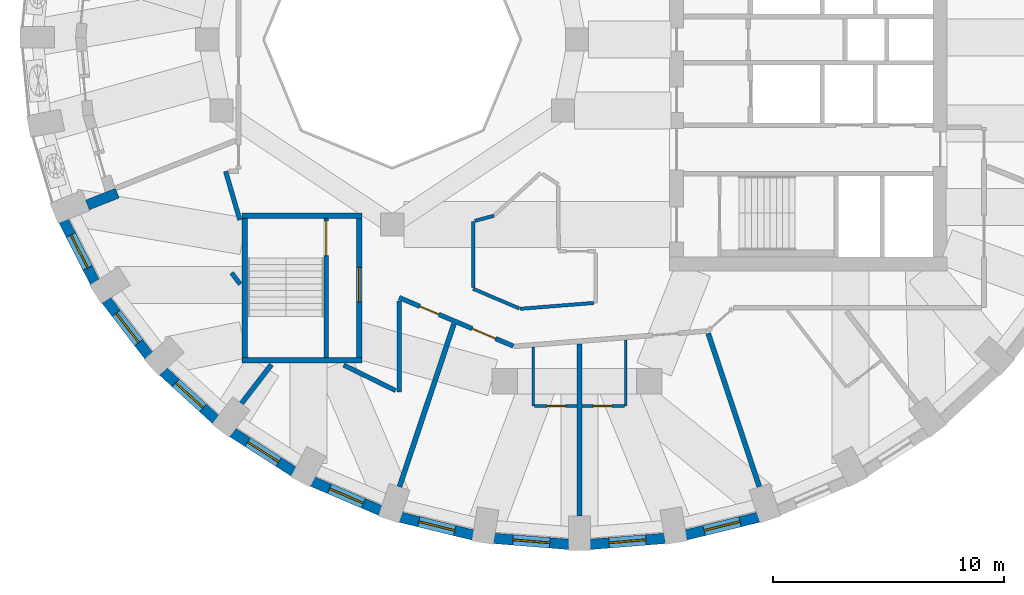
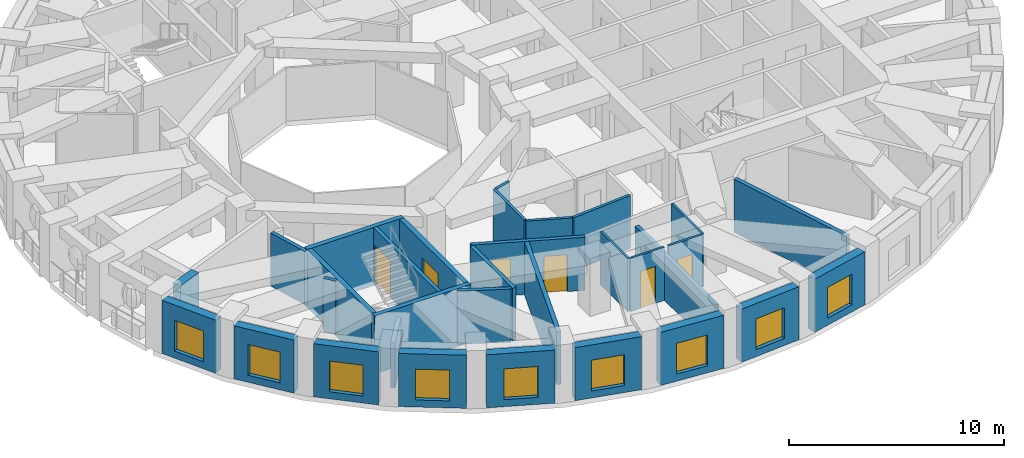
# One storey, part 3 of 12: 32 walls, 9 windows, 6 doors, 15 openings.
"""IFC4 building model written with IfcOpenShell, lengths in metres."""

from ifc_helpers import new_model, si_unit, direction, frame, frame_2d, origin, place, context, subcontext, project, spatial, rectangle, extrude, material, layer, layer_set, type_object, element, fill, save


model = new_model("IFC4")

# Units and contexts
model_context = context("Model", 3, precision=1e-05, world=origin(), true_north=direction((0.0, 1.0)))
body_context = subcontext(model_context, "Body", "Model", "MODEL_VIEW")
ifc_project = project(units=[si_unit("LENGTHUNIT", "METRE"), si_unit("AREAUNIT", "SQUARE_METRE"), si_unit("VOLUMEUNIT", "CUBIC_METRE"), si_unit("PLANEANGLEUNIT", "RADIAN"), si_unit("MASSUNIT", "GRAM", prefix="KILO")], contexts=[model_context])

# Site, building, storey
site_placement = place(None, origin())
site = spatial("IfcSite", under=ifc_project, at=site_placement, CompositionType="ELEMENT")
building_placement = place(site_placement, origin())
building = spatial("IfcBuilding", under=site, at=building_placement, Name="Taillehof Tower", CompositionType="ELEMENT")
storey_placement = place(building_placement, frame((0.0, 0.0, 148.39990234375)))
storey = spatial("IfcBuildingStorey", under=building, at=storey_placement, Name="L41", CompositionType="ELEMENT", Elevation=148.39990234375)

# Wall, opening, window
ifc_material_1 = material(Name="Brick masonry", Category="masonry")
ifc_layer_1 = layer(ifc_material_1, 0.449951171875)
ifc_layer_set_1 = layer_set([ifc_layer_1], Name="Brick infill wall 450")
wall_type_1 = type_object("IfcWallType", Name="Brick infill wall 450", PredefinedType="SOLIDWALL", material=ifc_layer_set_1)
wall_1_placement = place(storey_placement, frame((-22.21533203125, -7.8369140625, 0.0), z_axis=(0.0, 0.0, 1.0), x_axis=(0.454133999889, -0.890933392653, 0.0)))
wall_1 = element("IfcWall", 1, at=wall_1_placement, inside=storey, type_object=wall_type_1, Name="Brick wall L41 bay 21", PredefinedType="SOLIDWALL", context=body_context, shape_type="SweptSolid", body=[
    extrude(rectangle(XDim=2.98583984375, YDim=0.449951171875, at=frame_2d((1.492919921875, 0.0))), origin(), (0.0, 0.0, 1.0), 3.02001953125),
])
opening_1_placement = place(wall_1_placement, frame((0.69287109375, 0.0, 0.39990234375)))
opening_1 = element("IfcOpeningElement", 2, at=opening_1_placement, cuts=wall_1, Name="Opening W3", PredefinedType="OPENING", context=body_context, shape_type="SweptSolid", body=[
    extrude(rectangle(XDim=1.60009765625, YDim=1.75, at=frame_2d((0.800048828125, 0.875))), frame((0.0, 0.23486328125, 0.0), z_axis=(0.0, -1.0, 0.0), x_axis=(1.0, 0.0, 0.0)), (0.0, 0.0, 1.0), 0.469970703125),
])
ifc_material_2 = material(Name="Aluminium window frame with clear double glazing", Category="aluminium")
window_type = type_object("IfcWindowType", Name="Deep-set window 1600x1750", PartitioningType="SINGLE_PANEL", PredefinedType="WINDOW", material=ifc_material_2)
window_1_placement = place(opening_1_placement, origin())
window_1 = element("IfcWindow", 3, at=window_1_placement, inside=storey, type_object=window_type, Name="W3", OverallHeight=1.75, OverallWidth=1.60009765625, PartitioningType="SINGLE_PANEL", PredefinedType="WINDOW", context=body_context, shape_type="SweptSolid", body=[
    extrude(rectangle(XDim=1.60009765625, YDim=1.75, at=frame_2d((0.800048828125, 0.875))), frame((0.0, 0.034912109375, 0.0), z_axis=(0.0, -1.0, 0.0), x_axis=(1.0, 0.0, 0.0)), (0.0, 0.0, 1.0), 0.06005859375),
])
fill(opening_1, window_1)

wall_2_placement = place(storey_placement, frame((-20.3740234375, -11.26708984375, 0.0), z_axis=(0.0, 0.0, 1.0), x_axis=(0.607817056371, -0.794077090706, 0.0)))
wall_2 = element("IfcWall", 4, at=wall_2_placement, inside=storey, type_object=wall_type_1, Name="Brick wall L41 bay 22", PredefinedType="SOLIDWALL", context=body_context, shape_type="SweptSolid", body=[
    extrude(rectangle(XDim=3.037109375, YDim=0.449951171875, at=frame_2d((1.5185546875, 0.0))), origin(), (0.0, 0.0, 1.0), 3.02001953125),
])
opening_2_placement = place(wall_2_placement, frame((0.718505859375, 0.0, 0.39990234375)))
opening_2 = element("IfcOpeningElement", 5, at=opening_2_placement, cuts=wall_2, Name="Opening W3", PredefinedType="OPENING", context=body_context, shape_type="SweptSolid", body=[
    extrude(rectangle(XDim=1.60009765625, YDim=1.75, at=frame_2d((0.800048828125, 0.875))), frame((0.0, 0.23486328125, 0.0), z_axis=(0.0, -1.0, 0.0), x_axis=(1.0, 0.0, 0.0)), (0.0, 0.0, 1.0), 0.469970703125),
])
window_2_placement = place(opening_2_placement, origin())
window_2 = element("IfcWindow", 6, at=window_2_placement, inside=storey, type_object=window_type, Name="W3", OverallHeight=1.75, OverallWidth=1.60009765625, PartitioningType="SINGLE_PANEL", PredefinedType="WINDOW", context=body_context, shape_type="SweptSolid", body=[
    extrude(rectangle(XDim=1.60009765625, YDim=1.75, at=frame_2d((0.800048828125, 0.875))), frame((0.0, 0.034912109375, 0.0), z_axis=(0.0, -1.0, 0.0), x_axis=(1.0, 0.0, 0.0)), (0.0, 0.0, 1.0), 0.06005859375),
])
fill(opening_2, window_2)

wall_3_placement = place(storey_placement, frame((-17.913330078125, -14.349853515625, 0.0), z_axis=(0.0, 0.0, 1.0), x_axis=(0.737808755941, -0.675009807082, 0.0)))
wall_3 = element("IfcWall", 7, at=wall_3_placement, inside=storey, type_object=wall_type_1, Name="Brick wall L41 bay 23", PredefinedType="SOLIDWALL", context=body_context, shape_type="SweptSolid", body=[
    extrude(rectangle(XDim=3.094482421875, YDim=0.449951171875, at=frame_2d((1.54736328125, 0.0))), origin(), (0.0, 0.0, 1.0), 3.02001953125),
])
opening_3_placement = place(wall_3_placement, frame((0.747314453125, 0.0, 0.39990234375)))
opening_3 = element("IfcOpeningElement", 8, at=opening_3_placement, cuts=wall_3, Name="Opening W3", PredefinedType="OPENING", context=body_context, shape_type="SweptSolid", body=[
    extrude(rectangle(XDim=1.60009765625, YDim=1.75, at=frame_2d((0.800048828125, 0.875))), frame((0.0, 0.23486328125, 0.0), z_axis=(0.0, -1.0, 0.0), x_axis=(1.0, 0.0, 0.0)), (0.0, 0.0, 1.0), 0.469970703125),
])
window_3_placement = place(opening_3_placement, origin())
window_3 = element("IfcWindow", 9, at=window_3_placement, inside=storey, type_object=window_type, Name="W3", OverallHeight=1.75, OverallWidth=1.60009765625, PartitioningType="SINGLE_PANEL", PredefinedType="WINDOW", context=body_context, shape_type="SweptSolid", body=[
    extrude(rectangle(XDim=1.60009765625, YDim=1.75, at=frame_2d((0.800048828125, 0.875))), frame((0.0, 0.034912109375, 0.0), z_axis=(0.0, -1.0, 0.0), x_axis=(1.0, 0.0, 0.0)), (0.0, 0.0, 1.0), 0.06005859375),
])
fill(opening_3, window_3)

wall_4_placement = place(storey_placement, frame((-14.908447265625, -16.993408203125, 0.0), z_axis=(0.0, 0.0, 1.0), x_axis=(0.842065914439, -0.539374633943, 0.0)))
wall_4 = element("IfcWall", 10, at=wall_4_placement, inside=storey, type_object=wall_type_1, Name="Brick wall L41 bay 24", PredefinedType="SOLIDWALL", context=body_context, shape_type="SweptSolid", body=[
    extrude(rectangle(XDim=3.1513671875, YDim=0.449951171875, at=frame_2d((1.57568359375, 0.0))), origin(), (0.0, 0.0, 1.0), 3.02001953125),
])
opening_4_placement = place(wall_4_placement, frame((0.775634765625, 0.0, 0.39990234375)))
opening_4 = element("IfcOpeningElement", 11, at=opening_4_placement, cuts=wall_4, Name="Opening W3", PredefinedType="OPENING", context=body_context, shape_type="SweptSolid", body=[
    extrude(rectangle(XDim=1.60009765625, YDim=1.75, at=frame_2d((0.800048828125, 0.875))), frame((0.0, 0.23486328125, 0.0), z_axis=(0.0, -1.0, 0.0), x_axis=(1.0, 0.0, 0.0)), (0.0, 0.0, 1.0), 0.469970703125),
])
window_4_placement = place(opening_4_placement, origin())
window_4 = element("IfcWindow", 12, at=window_4_placement, inside=storey, type_object=window_type, Name="W3", OverallHeight=1.75, OverallWidth=1.60009765625, PartitioningType="SINGLE_PANEL", PredefinedType="WINDOW", context=body_context, shape_type="SweptSolid", body=[
    extrude(rectangle(XDim=1.60009765625, YDim=1.75, at=frame_2d((0.800048828125, 0.875))), frame((0.0, 0.034912109375, 0.0), z_axis=(0.0, -1.0, 0.0), x_axis=(1.0, 0.0, 0.0)), (0.0, 0.0, 1.0), 0.06005859375),
])
fill(opening_4, window_4)

wall_5_placement = place(storey_placement, frame((-11.4501953125, -19.11865234375, 0.0), z_axis=(0.0, 0.0, 1.0), x_axis=(0.919798725687, -0.392390499663, 0.0)))
wall_5 = element("IfcWall", 13, at=wall_5_placement, inside=storey, type_object=wall_type_1, Name="Brick wall L41 bay 25", PredefinedType="SOLIDWALL", context=body_context, shape_type="SweptSolid", body=[
    extrude(rectangle(XDim=3.200439453125, YDim=0.449951171875, at=frame_2d((1.60009765625, 0.0))), origin(), (0.0, 0.0, 1.0), 3.02001953125),
])
opening_5_placement = place(wall_5_placement, frame((0.80029296875, 0.0, 0.39990234375)))
opening_5 = element("IfcOpeningElement", 14, at=opening_5_placement, cuts=wall_5, Name="Opening W3", PredefinedType="OPENING", context=body_context, shape_type="SweptSolid", body=[
    extrude(rectangle(XDim=1.60009765625, YDim=1.75, at=frame_2d((0.800048828125, 0.875))), frame((0.0, 0.23486328125, 0.0), z_axis=(0.0, -1.0, 0.0), x_axis=(1.0, 0.0, 0.0)), (0.0, 0.0, 1.0), 0.469970703125),
])
window_5_placement = place(opening_5_placement, origin())
window_5 = element("IfcWindow", 15, at=window_5_placement, inside=storey, type_object=window_type, Name="W3", OverallHeight=1.75, OverallWidth=1.60009765625, PartitioningType="SINGLE_PANEL", PredefinedType="WINDOW", context=body_context, shape_type="SweptSolid", body=[
    extrude(rectangle(XDim=1.60009765625, YDim=1.75, at=frame_2d((0.800048828125, 0.875))), frame((0.0, 0.034912109375, 0.0), z_axis=(0.0, -1.0, 0.0), x_axis=(1.0, 0.0, 0.0)), (0.0, 0.0, 1.0), 0.06005859375),
])
fill(opening_5, window_5)

wall_6_placement = place(storey_placement, frame((-7.642822265625, -20.662353515625, 0.0), z_axis=(0.0, 0.0, 1.0), x_axis=(0.971232901476, -0.238131583563, 0.0)))
wall_6 = element("IfcWall", 16, at=wall_6_placement, inside=storey, type_object=wall_type_1, Name="Brick wall L41 bay 26", PredefinedType="SOLIDWALL", context=body_context, shape_type="SweptSolid", body=[
    extrude(rectangle(XDim=3.236572265625, YDim=0.449951171875, at=frame_2d((1.6181640625, 0.0))), origin(), (0.0, 0.0, 1.0), 3.02001953125),
])
opening_6_placement = place(wall_6_placement, frame((0.818359375, 0.0, 0.39990234375)))
opening_6 = element("IfcOpeningElement", 17, at=opening_6_placement, cuts=wall_6, Name="Opening W3", PredefinedType="OPENING", context=body_context, shape_type="SweptSolid", body=[
    extrude(rectangle(XDim=1.60009765625, YDim=1.75, at=frame_2d((0.800048828125, 0.875))), frame((0.0, 0.23486328125, 0.0), z_axis=(0.0, -1.0, 0.0), x_axis=(1.0, 0.0, 0.0)), (0.0, 0.0, 1.0), 0.469970703125),
])
window_6_placement = place(opening_6_placement, origin())
window_6 = element("IfcWindow", 18, at=window_6_placement, inside=storey, type_object=window_type, Name="W3", OverallHeight=1.75, OverallWidth=1.60009765625, PartitioningType="SINGLE_PANEL", PredefinedType="WINDOW", context=body_context, shape_type="SweptSolid", body=[
    extrude(rectangle(XDim=1.60009765625, YDim=1.75, at=frame_2d((0.800048828125, 0.875))), frame((0.0, 0.034912109375, 0.0), z_axis=(0.0, -1.0, 0.0), x_axis=(1.0, 0.0, 0.0)), (0.0, 0.0, 1.0), 0.06005859375),
])
fill(opening_6, window_6)

wall_7_placement = place(storey_placement, frame((-3.6005859375, -21.578125, 0.0), z_axis=(0.0, 0.0, 1.0), x_axis=(0.996812416891, -0.079780984773, 0.0)))
wall_7 = element("IfcWall", 19, at=wall_7_placement, inside=storey, type_object=wall_type_1, Name="Brick wall L41 bay 27", PredefinedType="SOLIDWALL", context=body_context, shape_type="SweptSolid", body=[
    extrude(rectangle(XDim=3.256103515625, YDim=0.449951171875, at=frame_2d((1.6279296875, 0.0))), origin(), (0.0, 0.0, 1.0), 3.02001953125),
])
opening_7_placement = place(wall_7_placement, frame((0.827880859375, 0.0, 0.39990234375)))
opening_7 = element("IfcOpeningElement", 20, at=opening_7_placement, cuts=wall_7, Name="Opening W3", PredefinedType="OPENING", context=body_context, shape_type="SweptSolid", body=[
    extrude(rectangle(XDim=1.60009765625, YDim=1.75, at=frame_2d((0.800048828125, 0.875))), frame((0.0, 0.23486328125, 0.0), z_axis=(0.0, -1.0, 0.0), x_axis=(1.0, 0.0, 0.0)), (0.0, 0.0, 1.0), 0.469970703125),
])
window_7_placement = place(opening_7_placement, origin())
window_7 = element("IfcWindow", 21, at=window_7_placement, inside=storey, type_object=window_type, Name="W3", OverallHeight=1.75, OverallWidth=1.60009765625, PartitioningType="SINGLE_PANEL", PredefinedType="WINDOW", context=body_context, shape_type="SweptSolid", body=[
    extrude(rectangle(XDim=1.60009765625, YDim=1.75, at=frame_2d((0.800048828125, 0.875))), frame((0.0, 0.034912109375, 0.0), z_axis=(0.0, -1.0, 0.0), x_axis=(1.0, 0.0, 0.0)), (0.0, 0.0, 1.0), 0.06005859375),
])
fill(opening_7, window_7)

wall_8_placement = place(storey_placement, frame((0.55517578125, -21.837890625, 0.0), z_axis=(0.0, 0.0, 1.0), x_axis=(0.996812416891, 0.079780984773, 0.0)))
wall_8 = element("IfcWall", 22, at=wall_8_placement, inside=storey, type_object=wall_type_1, Name="Brick wall L41 bay 28", PredefinedType="SOLIDWALL", context=body_context, shape_type="SweptSolid", body=[
    extrude(rectangle(XDim=3.256103515625, YDim=0.449951171875, at=frame_2d((1.6279296875, 0.0))), origin(), (0.0, 0.0, 1.0), 3.02001953125),
])
opening_8_placement = place(wall_8_placement, frame((0.827880859375, 0.0, 0.39990234375)))
opening_8 = element("IfcOpeningElement", 23, at=opening_8_placement, cuts=wall_8, Name="Opening W3", PredefinedType="OPENING", context=body_context, shape_type="SweptSolid", body=[
    extrude(rectangle(XDim=1.60009765625, YDim=1.75, at=frame_2d((0.800048828125, 0.875))), frame((0.0, 0.23486328125, 0.0), z_axis=(0.0, -1.0, 0.0), x_axis=(1.0, 0.0, 0.0)), (0.0, 0.0, 1.0), 0.469970703125),
])
window_8_placement = place(opening_8_placement, origin())
window_8 = element("IfcWindow", 24, at=window_8_placement, inside=storey, type_object=window_type, Name="W3", OverallHeight=1.75, OverallWidth=1.60009765625, PartitioningType="SINGLE_PANEL", PredefinedType="WINDOW", context=body_context, shape_type="SweptSolid", body=[
    extrude(rectangle(XDim=1.60009765625, YDim=1.75, at=frame_2d((0.800048828125, 0.875))), frame((0.0, 0.034912109375, 0.0), z_axis=(0.0, -1.0, 0.0), x_axis=(1.0, 0.0, 0.0)), (0.0, 0.0, 1.0), 0.06005859375),
])
fill(opening_8, window_8)

wall_9_placement = place(storey_placement, frame((4.69921875, -21.43310546875, 0.0), z_axis=(0.0, 0.0, 1.0), x_axis=(0.971237178372, 0.238114139328, 0.0)))
wall_9 = element("IfcWall", 25, at=wall_9_placement, inside=storey, type_object=wall_type_1, Name="Brick wall L41 bay 29", PredefinedType="SOLIDWALL", context=body_context, shape_type="SweptSolid", body=[
    extrude(rectangle(XDim=3.23681640625, YDim=0.449951171875, at=frame_2d((1.618408203125, 0.0))), origin(), (0.0, 0.0, 1.0), 3.02001953125),
])
opening_9_placement = place(wall_9_placement, frame((0.818359375, 0.0, 0.39990234375)))
opening_9 = element("IfcOpeningElement", 26, at=opening_9_placement, cuts=wall_9, Name="Opening W3", PredefinedType="OPENING", context=body_context, shape_type="SweptSolid", body=[
    extrude(rectangle(XDim=1.60009765625, YDim=1.75, at=frame_2d((0.800048828125, 0.875))), frame((0.0, 0.23486328125, 0.0), z_axis=(0.0, -1.0, 0.0), x_axis=(1.0, 0.0, 0.0)), (0.0, 0.0, 1.0), 0.469970703125),
])
window_9_placement = place(opening_9_placement, origin())
window_9 = element("IfcWindow", 27, at=window_9_placement, inside=storey, type_object=window_type, Name="W3", OverallHeight=1.75, OverallWidth=1.60009765625, PartitioningType="SINGLE_PANEL", PredefinedType="WINDOW", context=body_context, shape_type="SweptSolid", body=[
    extrude(rectangle(XDim=1.60009765625, YDim=1.75, at=frame_2d((0.800048828125, 0.875))), frame((0.0, 0.034912109375, 0.0), z_axis=(0.0, -1.0, 0.0), x_axis=(1.0, 0.0, 0.0)), (0.0, 0.0, 1.0), 0.06005859375),
])
fill(opening_9, window_9)

# Wall
wall_10_placement = place(storey_placement, frame((-21.18212890625, -7.15625, 0.0), z_axis=(0.0, 0.0, 1.0), x_axis=(0.929514600716, 0.368785312961, 0.0)))
element("IfcWall", 28, at=wall_10_placement, inside=storey, type_object=wall_type_1, Name="Brick reveal L41 pocket 5", PredefinedType="SOLIDWALL", context=body_context, shape_type="SweptSolid", body=[
    extrude(rectangle(XDim=1.39013671875, YDim=0.449951171875, at=frame_2d((0.695068359375, 0.0))), origin(), (0.0, 0.0, 1.0), 3.02001953125),
])

# Wall, openings, doors
ifc_material_3 = material(Name="Gypsum board on steel studs, two layers each side", Category="steel")
ifc_layer_2 = layer(ifc_material_3, 0.199951171875)
ifc_layer_set_2 = layer_set([ifc_layer_2], Name="Compartment wall corridor 200")
wall_type_2 = type_object("IfcWallType", Name="Compartment wall corridor 200", PredefinedType="PARTITIONING", material=ifc_layer_set_2)
wall_11_placement = place(storey_placement, frame((-2.765625, -13.257568359375, 0.0), z_axis=(0.0, 0.0, 1.0), x_axis=(-0.920210819037, 0.391423106787, 0.0)))
wall_11 = element("IfcWall", 29, at=wall_11_placement, inside=storey, type_object=wall_type_2, Name="Compartment wall", PredefinedType="PARTITIONING", context=body_context, shape_type="SweptSolid", body=[
    extrude(rectangle(XDim=5.362060546875, YDim=0.199951171875, at=frame_2d((2.68115234375, 0.0))), origin(), (0.0, 0.0, 1.0), 3.02001953125),
])
opening_10_placement = place(wall_11_placement, frame((3.4951171875, 0.0, 0.0)))
opening_10 = element("IfcOpeningElement", 30, at=opening_10_placement, cuts=wall_11, Name="Opening D4150", PredefinedType="OPENING", context=body_context, shape_type="SweptSolid", body=[
    extrude(rectangle(XDim=0.89990234375, YDim=2.10009765625, at=frame_2d((0.449951171875, 1.050048828125))), frame((0.0, 0.10986328125, 0.0), z_axis=(0.0, -1.0, 0.0), x_axis=(1.0, 0.0, 0.0)), (0.0, 0.0, 1.0), 0.219970703125),
])
opening_11_placement = place(wall_11_placement, frame((0.827392578125, 0.0, 0.0)))
opening_11 = element("IfcOpeningElement", 31, at=opening_11_placement, cuts=wall_11, Name="Opening D4151", PredefinedType="OPENING", context=body_context, shape_type="SweptSolid", body=[
    extrude(rectangle(XDim=1.10009765625, YDim=2.10009765625, at=frame_2d((0.550048828125, 1.050048828125))), frame((0.0, 0.10986328125, 0.0), z_axis=(0.0, -1.0, 0.0), x_axis=(1.0, 0.0, 0.0)), (0.0, 0.0, 1.0), 0.219970703125),
])
ifc_material_4 = material(Name="Timber door leaf in steel frame", Category="steel")
door_type_1 = type_object("IfcDoorType", Name="Service room door EI 30 900 x 2100", OperationType="SINGLE_SWING_LEFT", PredefinedType="DOOR", material=ifc_material_4)
door_1_placement = place(opening_10_placement, origin())
door_1 = element("IfcDoor", 32, at=door_1_placement, inside=storey, type_object=door_type_1, Name="D4150", OperationType="SINGLE_SWING_LEFT", OverallHeight=2.10009765625, OverallWidth=0.89990234375, PredefinedType="DOOR", context=body_context, shape_type="SweptSolid", body=[
    extrude(rectangle(XDim=0.89990234375, YDim=2.10009765625, at=frame_2d((0.449951171875, 1.050048828125))), frame((0.0, 0.02490234375, 0.0), z_axis=(0.0, -1.0, 0.0), x_axis=(1.0, 0.0, 0.0)), (0.0, 0.0, 1.0), 0.050048828125),
])
fill(opening_10, door_1)
ifc_material_5 = material(Name="Timber door leaf in steel frame", Category="steel")
door_type_2 = type_object("IfcDoorType", Name="Suite entrance door EI 30 1100 x 2100", OperationType="SINGLE_SWING_LEFT", PredefinedType="DOOR", material=ifc_material_5)
door_2_placement = place(opening_11_placement, origin())
door_2 = element("IfcDoor", 33, at=door_2_placement, inside=storey, type_object=door_type_2, Name="D4151", OperationType="SINGLE_SWING_RIGHT", OverallHeight=2.10009765625, OverallWidth=1.10009765625, PredefinedType="DOOR", context=body_context, shape_type="SweptSolid", body=[
    extrude(rectangle(XDim=1.10009765625, YDim=2.10009765625, at=frame_2d((0.550048828125, 1.050048828125))), frame((0.0, 0.02490234375, 0.0), z_axis=(0.0, -1.0, 0.0), x_axis=(1.0, 0.0, 0.0)), (0.0, 0.0, 1.0), 0.050048828125),
])
fill(opening_11, door_2)

# Walls
wall_12_placement = place(storey_placement, frame((-7.699951171875, -11.298828125, 0.0), z_axis=(0.0, 0.0, 1.0), x_axis=(0.0, -1.0, 0.0)))
element("IfcWall", 34, at=wall_12_placement, inside=storey, type_object=wall_type_2, Name="Compartment wall", PredefinedType="PARTITIONING", context=body_context, shape_type="SweptSolid", body=[
    extrude(rectangle(XDim=3.9560546875, YDim=0.199951171875, at=frame_2d((1.97802734375, 0.0))), origin(), (0.0, 0.0, 1.0), 3.02001953125),
])
wall_13_placement = place(storey_placement, frame((-7.844482421875, -15.1845703125, 0.0), z_axis=(0.0, 0.0, 1.0), x_axis=(-0.898266579534, 0.439450966653, 0.0)))
element("IfcWall", 35, at=wall_13_placement, inside=storey, type_object=wall_type_2, Name="Compartment wall", PredefinedType="PARTITIONING", context=body_context, shape_type="SweptSolid", body=[
    extrude(rectangle(XDim=2.5087890625, YDim=0.199951171875, at=frame_2d((1.25439453125, 0.0))), origin(), (0.0, 0.0, 1.0), 3.02001953125),
])
wall_14_placement = place(storey_placement, frame((-14.57373046875, -10.580078125, 0.0), z_axis=(0.0, 0.0, 1.0), x_axis=(-0.606745625174, 0.794896060081, 0.0)))
element("IfcWall", 36, at=wall_14_placement, inside=storey, type_object=wall_type_2, Name="Compartment wall", PredefinedType="PARTITIONING", context=body_context, shape_type="SweptSolid", body=[
    extrude(rectangle(XDim=0.61767578125, YDim=0.199951171875, at=frame_2d((0.308837890625, 0.0))), origin(), (0.0, 0.0, 1.0), 3.02001953125),
])
wall_15_placement = place(storey_placement, frame((-14.590087890625, -7.806884765625, 0.0), z_axis=(0.0, 0.0, 1.0), x_axis=(-0.280401457903, 0.959882817018, 0.0)))
element("IfcWall", 37, at=wall_15_placement, inside=storey, type_object=wall_type_2, Name="Compartment wall", PredefinedType="PARTITIONING", context=body_context, shape_type="SweptSolid", body=[
    extrude(rectangle(XDim=2.195068359375, YDim=0.199951171875, at=frame_2d((1.09765625, 0.0))), origin(), (0.0, 0.0, 1.0), 3.02001953125),
])
ifc_material_6 = material(Name="Gypsum board on double steel studs with mineral wool", Category="steel")
ifc_layer_3 = layer(ifc_material_6, 0.219970703125)
ifc_layer_set_3 = layer_set([ifc_layer_3], Name="Compartment wall guest room 220")
wall_type_3 = type_object("IfcWallType", Name="Compartment wall guest room 220", PredefinedType="PARTITIONING", material=ifc_layer_set_3)
wall_16_placement = place(storey_placement, frame((-14.515869140625, -15.7373046875, 0.0), z_axis=(0.0, 0.0, 1.0), x_axis=(0.609983624648, 0.792414019097, 0.0)))
element("IfcWall", 38, at=wall_16_placement, inside=storey, type_object=wall_type_3, Name="Compartment wall", PredefinedType="PARTITIONING", context=body_context, shape_type="SweptSolid", body=[
    extrude(rectangle(XDim=2.118408203125, YDim=0.219970703125, at=frame_2d((1.05908203125, 0.0))), origin(), (0.0, 0.0, 1.0), 2.570068359375),
])
wall_17_placement = place(storey_placement, frame((-7.682861328125, -19.344970703125, 0.0), z_axis=(0.0, 0.0, 1.0), x_axis=(0.316720596973, 0.948518878807, 0.0)))
element("IfcWall", 39, at=wall_17_placement, inside=storey, type_object=wall_type_3, Name="Compartment wall", PredefinedType="PARTITIONING", context=body_context, shape_type="SweptSolid", body=[
    extrude(rectangle(XDim=7.43017578125, YDim=0.219970703125, at=frame_2d((3.715087890625, 0.0))), origin(), (0.0, 0.0, 1.0), 3.02001953125),
])
wall_18_placement = place(storey_placement, frame((0.10009765625, -20.60009765625, 0.0), z_axis=(0.0, 0.0, 1.0), x_axis=(0.0, 1.0, 0.0)))
element("IfcWall", 40, at=wall_18_placement, inside=storey, type_object=wall_type_3, Name="Compartment wall", PredefinedType="PARTITIONING", context=body_context, shape_type="SweptSolid", body=[
    extrude(rectangle(XDim=7.4326171875, YDim=0.219970703125, at=frame_2d((3.71630859375, 0.0))), origin(), (0.0, 0.0, 1.0), 2.570068359375),
])
wall_19_placement = place(storey_placement, frame((7.8828125, -19.344970703125, 0.0), z_axis=(0.0, 0.0, 1.0), x_axis=(-0.31671959997, 0.948519211716, 0.0)))
element("IfcWall", 41, at=wall_19_placement, inside=storey, type_object=wall_type_3, Name="Compartment wall", PredefinedType="PARTITIONING", context=body_context, shape_type="SweptSolid", body=[
    extrude(rectangle(XDim=6.99853515625, YDim=0.219970703125, at=frame_2d((3.499267578125, 0.0))), origin(), (0.0, 0.0, 1.0), 3.02001953125),
])
ifc_material_7 = material(Name="Gypsum board on steel studs, two layers each side", Category="steel")
ifc_layer_4 = layer(ifc_material_7, 0.14990234375)
ifc_layer_set_4 = layer_set([ifc_layer_4], Name="Compartment wall service room 150")
wall_type_4 = type_object("IfcWallType", Name="Compartment wall service room 150", PredefinedType="PARTITIONING", material=ifc_layer_set_4)
wall_20_placement = place(storey_placement, frame((0.719970703125, -11.39306640625, 0.0), z_axis=(0.0, 0.0, 1.0), x_axis=(-0.996836626024, -0.079477927865, 0.0)))
element("IfcWall", 42, at=wall_20_placement, inside=storey, type_object=wall_type_4, Name="Compartment wall", PredefinedType="PARTITIONING", context=body_context, shape_type="SweptSolid", body=[
    extrude(rectangle(XDim=3.194580078125, YDim=0.14990234375, at=frame_2d((1.59716796875, 0.0))), origin(), (0.0, 0.0, 1.0), 3.02001953125),
])
wall_21_placement = place(storey_placement, frame((-2.501220703125, -11.63134765625, 0.0), z_axis=(0.0, 0.0, 1.0), x_axis=(-0.920228720371, 0.391381019217, 0.0)))
element("IfcWall", 43, at=wall_21_placement, inside=storey, type_object=wall_type_4, Name="Compartment wall", PredefinedType="PARTITIONING", context=body_context, shape_type="SweptSolid", body=[
    extrude(rectangle(XDim=2.172119140625, YDim=0.14990234375, at=frame_2d((1.0859375, 0.0))), origin(), (0.0, 0.0, 1.0), 3.02001953125),
])
wall_22_placement = place(storey_placement, frame((-4.5, -10.72119140625, 0.0), z_axis=(0.0, 0.0, 1.0), x_axis=(0.0, 1.0, 0.0)))
element("IfcWall", 44, at=wall_22_placement, inside=storey, type_object=wall_type_4, Name="Compartment wall", PredefinedType="PARTITIONING", context=body_context, shape_type="SweptSolid", body=[
    extrude(rectangle(XDim=2.859130859375, YDim=0.14990234375, at=frame_2d((1.4296875, 0.0))), origin(), (0.0, 0.0, 1.0), 3.02001953125),
])
wall_23_placement = place(storey_placement, frame((-4.4228515625, -7.841552734375, 0.0), z_axis=(0.0, 0.0, 1.0), x_axis=(0.965853333569, 0.259089440221, 0.0)))
element("IfcWall", 45, at=wall_23_placement, inside=storey, type_object=wall_type_4, Name="Compartment wall", PredefinedType="PARTITIONING", context=body_context, shape_type="SweptSolid", body=[
    extrude(rectangle(XDim=0.851806640625, YDim=0.14990234375, at=frame_2d((0.42578125, 0.0))), origin(), (0.0, 0.0, 1.0), 3.02001953125),
])
ifc_material_8 = material(Name="Gypsum board on steel studs, moisture resistant", Category="steel")
ifc_layer_5 = layer(ifc_material_8, 0.1201171875)
ifc_layer_set_5 = layer_set([ifc_layer_5], Name="En-suite wall 120")
wall_type_5 = type_object("IfcWallType", Name="En-suite wall 120", PredefinedType="PARTITIONING", material=ifc_layer_set_5)
wall_24_placement = place(storey_placement, frame((-1.89990234375, -13.307373046875, 0.0), z_axis=(0.0, 0.0, 1.0), x_axis=(0.0, -1.0, 0.0)))
element("IfcWall", 46, at=wall_24_placement, inside=storey, type_object=wall_type_5, Name="En-suite wall", PredefinedType="PARTITIONING", context=body_context, shape_type="SweptSolid", body=[
    extrude(rectangle(XDim=2.539794921875, YDim=0.1201171875, at=frame_2d((1.27001953125, 0.0))), origin(), (0.0, 0.0, 1.0), 3.02001953125),
])
wall_25_placement = place(storey_placement, frame((2.10009765625, -12.98779296875, 0.0), z_axis=(0.0, 0.0, 1.0), x_axis=(0.0, -1.0, 0.0)))
element("IfcWall", 47, at=wall_25_placement, inside=storey, type_object=wall_type_5, Name="En-suite wall", PredefinedType="PARTITIONING", context=body_context, shape_type="SweptSolid", body=[
    extrude(rectangle(XDim=2.859375, YDim=0.1201171875, at=frame_2d((1.4296875, 0.0))), origin(), (0.0, 0.0, 1.0), 3.02001953125),
])

# Wall, opening, door
wall_26_placement = place(storey_placement, frame((-1.83984375, -15.84716796875, 0.0), z_axis=(0.0, 0.0, 1.0), x_axis=(1.0, 0.0, 0.0)))
wall_26 = element("IfcWall", 48, at=wall_26_placement, inside=storey, type_object=wall_type_5, Name="En-suite wall", PredefinedType="PARTITIONING", context=body_context, shape_type="SweptSolid", body=[
    extrude(rectangle(XDim=1.829833984375, YDim=0.1201171875, at=frame_2d((0.9150390625, 0.0))), origin(), (0.0, 0.0, 1.0), 3.02001953125),
])
opening_12_placement = place(wall_26_placement, frame((0.539794921875, 0.0, 0.0)))
opening_12 = element("IfcOpeningElement", 49, at=opening_12_placement, cuts=wall_26, Name="Opening D4152", PredefinedType="OPENING", context=body_context, shape_type="SweptSolid", body=[
    extrude(rectangle(XDim=0.800048828125, YDim=2.10009765625, at=frame_2d((0.39990234375, 1.050048828125))), frame((0.0, 0.070068359375, 0.0), z_axis=(0.0, -1.0, 0.0), x_axis=(1.0, 0.0, 0.0)), (0.0, 0.0, 1.0), 0.14013671875),
])
ifc_material_9 = material(Name="Timber door leaf in steel frame", Category="steel")
door_type_3 = type_object("IfcDoorType", Name="En-suite door 800 x 2100", OperationType="SINGLE_SWING_LEFT", PredefinedType="DOOR", material=ifc_material_9)
door_3_placement = place(opening_12_placement, origin())
door_3 = element("IfcDoor", 50, at=door_3_placement, inside=storey, type_object=door_type_3, Name="D4152", OperationType="SINGLE_SWING_RIGHT", OverallHeight=2.10009765625, OverallWidth=0.800048828125, PredefinedType="DOOR", context=body_context, shape_type="SweptSolid", body=[
    extrude(rectangle(XDim=0.800048828125, YDim=2.10009765625, at=frame_2d((0.39990234375, 1.050048828125))), frame((0.0, 0.02490234375, 0.0), z_axis=(0.0, -1.0, 0.0), x_axis=(1.0, 0.0, 0.0)), (0.0, 0.0, 1.0), 0.050048828125),
])
fill(opening_12, door_3)

wall_27_placement = place(storey_placement, frame((2.0400390625, -15.84716796875, 0.0), z_axis=(0.0, 0.0, 1.0), x_axis=(-1.0, 0.0, 0.0)))
wall_27 = element("IfcWall", 51, at=wall_27_placement, inside=storey, type_object=wall_type_5, Name="En-suite wall", PredefinedType="PARTITIONING", context=body_context, shape_type="SweptSolid", body=[
    extrude(rectangle(XDim=1.829833984375, YDim=0.1201171875, at=frame_2d((0.9150390625, 0.0))), origin(), (0.0, 0.0, 1.0), 3.02001953125),
])
opening_13_placement = place(wall_27_placement, frame((0.5400390625, 0.0, 0.0)))
opening_13 = element("IfcOpeningElement", 52, at=opening_13_placement, cuts=wall_27, Name="Opening D4154", PredefinedType="OPENING", context=body_context, shape_type="SweptSolid", body=[
    extrude(rectangle(XDim=0.800048828125, YDim=2.10009765625, at=frame_2d((0.39990234375, 1.050048828125))), frame((0.0, 0.070068359375, 0.0), z_axis=(0.0, -1.0, 0.0), x_axis=(1.0, 0.0, 0.0)), (0.0, 0.0, 1.0), 0.14013671875),
])
door_4_placement = place(opening_13_placement, origin())
door_4 = element("IfcDoor", 53, at=door_4_placement, inside=storey, type_object=door_type_3, Name="D4154", OperationType="SINGLE_SWING_RIGHT", OverallHeight=2.10009765625, OverallWidth=0.800048828125, PredefinedType="DOOR", context=body_context, shape_type="SweptSolid", body=[
    extrude(rectangle(XDim=0.800048828125, YDim=2.10009765625, at=frame_2d((0.39990234375, 1.050048828125))), frame((0.0, 0.02490234375, 0.0), z_axis=(0.0, -1.0, 0.0), x_axis=(1.0, 0.0, 0.0)), (0.0, 0.0, 1.0), 0.050048828125),
])
fill(opening_13, door_4)

ifc_material_10 = material(Name="Concrete C50/60", Category="concrete")
ifc_layer_6 = layer(ifc_material_10, 0.199951171875)
ifc_layer_set_6 = layer_set([ifc_layer_6], Name="Shaft wall C50/60 200")
wall_type_6 = type_object("IfcWallType", Name="Shaft wall C50/60 200", PredefinedType="SHEAR", material=ifc_layer_set_6)
wall_28_placement = place(storey_placement, frame((-10.85009765625, -13.75, 0.0), z_axis=(0.0, 0.0, 1.0), x_axis=(0.0, 1.0, 0.0)))
wall_28 = element("IfcWall", 54, at=wall_28_placement, inside=storey, type_object=wall_type_6, Name="Shaft wall SW", PredefinedType="SHEAR", context=body_context, shape_type="SweptSolid", body=[
    extrude(rectangle(XDim=6.0, YDim=0.199951171875, at=frame_2d((3.0, 0.0))), origin(), (0.0, 0.0, 1.0), 3.02001953125),
])
opening_14_placement = place(wall_28_placement, frame((4.39990234375, 0.0, 0.0)))
opening_14 = element("IfcOpeningElement", 55, at=opening_14_placement, cuts=wall_28, Name="Opening D4113", PredefinedType="OPENING", context=body_context, shape_type="SweptSolid", body=[
    extrude(rectangle(XDim=1.5, YDim=2.10009765625, at=frame_2d((0.75, 1.050048828125))), frame((0.0, 0.10986328125, 0.0), z_axis=(0.0, -1.0, 0.0), x_axis=(1.0, 0.0, 0.0)), (0.0, 0.0, 1.0), 0.219970703125),
])
ifc_material_11 = material(Name="Steel-faced fire door", Category="steel")
door_type_4 = type_object("IfcDoorType", Name="Stair door 1500x2100", OperationType="DOUBLE_DOOR_SINGLE_SWING", PredefinedType="DOOR", material=ifc_material_11)
door_5_placement = place(opening_14_placement, origin())
door_5 = element("IfcDoor", 56, at=door_5_placement, inside=storey, type_object=door_type_4, Name="Stair lobby door S4", OperationType="DOUBLE_DOOR_SINGLE_SWING", OverallHeight=2.10009765625, OverallWidth=1.5, PredefinedType="DOOR", context=body_context, shape_type="SweptSolid", body=[
    extrude(rectangle(XDim=1.5, YDim=2.10009765625, at=frame_2d((0.75, 1.050048828125))), frame((0.0, 0.02490234375, 0.0), z_axis=(0.0, -1.0, 0.0), x_axis=(1.0, 0.0, 0.0)), (0.0, 0.0, 1.0), 0.050048828125),
])
fill(opening_14, door_5)

# Wall
ifc_material_12 = material(Name="Concrete C50/60", Category="concrete")
ifc_layer_7 = layer(ifc_material_12, 0.25)
ifc_layer_set_7 = layer_set([ifc_layer_7], Name="Stair wall C50/60 250")
wall_type_7 = type_object("IfcWallType", Name="Stair wall C50/60 250", PredefinedType="SHEAR", material=ifc_layer_set_7)
wall_29_placement = place(storey_placement, frame((-14.375, -13.75, -0.27978515625), z_axis=(0.0, 0.0, 1.0), x_axis=(0.0, 1.0, 0.0)))
element("IfcWall", 57, at=wall_29_placement, inside=storey, type_object=wall_type_7, Name="Stair wall SC", PredefinedType="SHEAR", context=body_context, shape_type="SweptSolid", body=[
    extrude(rectangle(XDim=6.0, YDim=0.25, at=frame_2d((3.0, 0.0))), origin(), (0.0, 0.0, 1.0), 3.2998046875),
])

# Wall, opening, door
wall_30_placement = place(storey_placement, frame((-9.425048828125, -13.75, -0.27978515625), z_axis=(0.0, 0.0, 1.0), x_axis=(0.0, 1.0, 0.0)))
wall_30 = element("IfcWall", 58, at=wall_30_placement, inside=storey, type_object=wall_type_7, Name="Stair wall SC", PredefinedType="SHEAR", context=body_context, shape_type="SweptSolid", body=[
    extrude(rectangle(XDim=6.0, YDim=0.25, at=frame_2d((3.0, 0.0))), origin(), (0.0, 0.0, 1.0), 3.2998046875),
])
opening_15_placement = place(wall_30_placement, frame((2.39990234375, 0.0, 0.280029296875)))
opening_15 = element("IfcOpeningElement", 59, at=opening_15_placement, cuts=wall_30, Name="Opening D4116", PredefinedType="OPENING", context=body_context, shape_type="SweptSolid", body=[
    extrude(rectangle(XDim=1.5, YDim=2.10009765625, at=frame_2d((0.75, 1.050048828125))), frame((0.0, 0.135009765625, 0.0), z_axis=(0.0, -1.0, 0.0), x_axis=(1.0, 0.0, 0.0)), (0.0, 0.0, 1.0), 0.27001953125),
])
door_6_placement = place(opening_15_placement, origin())
door_6 = element("IfcDoor", 60, at=door_6_placement, inside=storey, type_object=door_type_4, Name="Stair door S4", OperationType="DOUBLE_DOOR_SINGLE_SWING", OverallHeight=2.10009765625, OverallWidth=1.5, PredefinedType="DOOR", context=body_context, shape_type="SweptSolid", body=[
    extrude(rectangle(XDim=1.5, YDim=2.10009765625, at=frame_2d((0.75, 1.050048828125))), frame((0.0, 0.02490234375, 0.0), z_axis=(0.0, -1.0, 0.0), x_axis=(1.0, 0.0, 0.0)), (0.0, 0.0, 1.0), 0.050048828125),
])
fill(opening_15, door_6)

# Walls
for number, where, z_axis, x_axis, name in (
    (61, (-14.5, -7.625, -0.27978515625), (0.0, 0.0, 1.0), (1.0, 0.0, 0.0), "Stair wall SC"),
    (62, (-14.5, -13.875, -0.27978515625), (0.0, 0.0, 1.0), (1.0, 0.0, 0.0), "Stair wall SC"),
):
    element("IfcWall", number, at=place(storey_placement, frame(where, z_axis=z_axis, x_axis=x_axis)), inside=storey, type_object=wall_type_7, Name=name, PredefinedType="SHEAR", context=body_context, shape_type="SweptSolid", body=[
        extrude(rectangle(XDim=5.199951171875, YDim=0.25, at=frame_2d((2.60009765625, 0.0))), origin(), (0.0, 0.0, 1.0), 3.2998046875),
    ])

save(model, "model.ifc")
